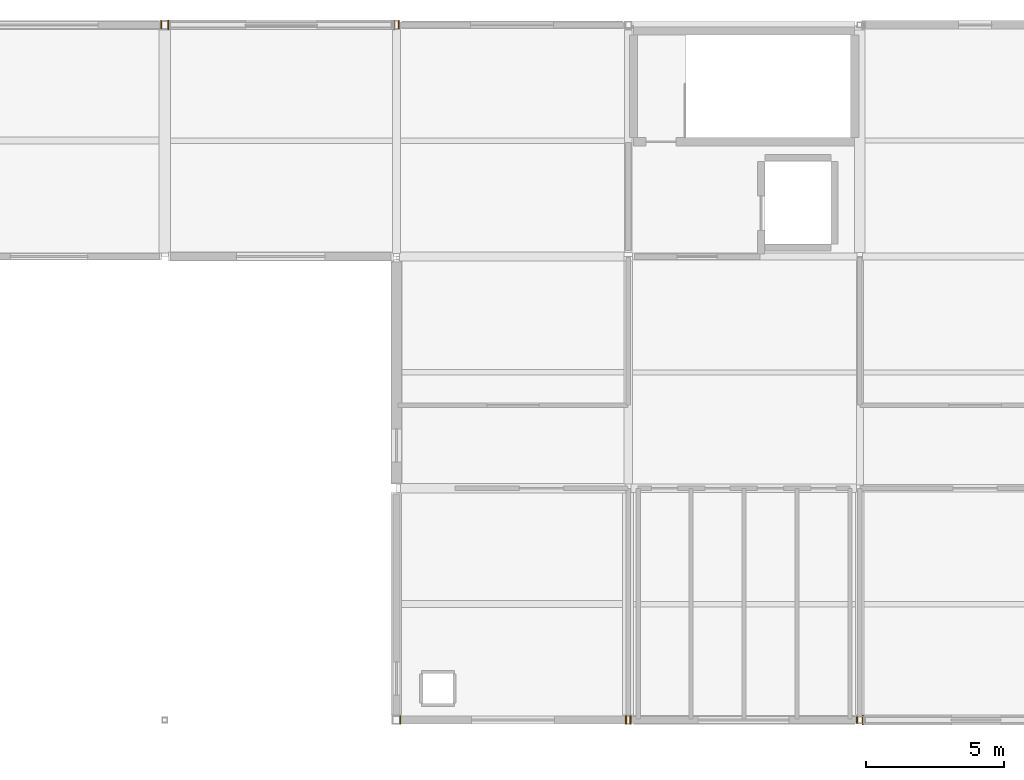
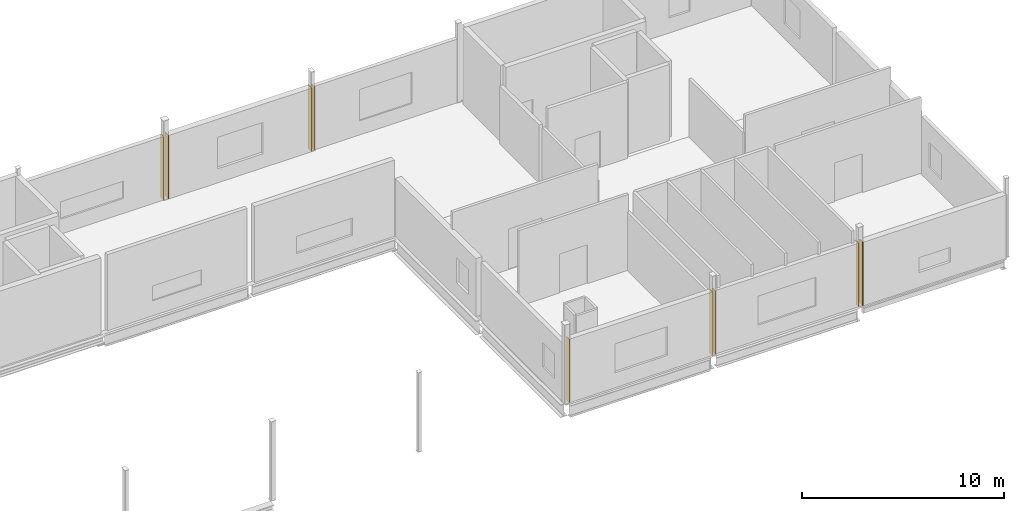
# One storey, part 24 of 27: 9 coverings.
"""IFC4 building model written with IfcOpenShell, lengths in metres."""

from ifc_helpers import new_model, si_unit, direction, frame, origin, place, context, subcontext, project, spatial, polyline, outline, extrude, material, layer, layer_set, type_object, element, save


model = new_model("IFC4")

# Units and contexts
model_context = context("Model", 3, precision=1e-05, world=origin(), true_north=direction((0.0, 1.0)))
body_context = subcontext(model_context, "Body", "Model", "MODEL_VIEW")
ifc_project = project(units=[si_unit("LENGTHUNIT", "METRE"), si_unit("AREAUNIT", "SQUARE_METRE"), si_unit("VOLUMEUNIT", "CUBIC_METRE"), si_unit("PLANEANGLEUNIT", "RADIAN"), si_unit("MASSUNIT", "GRAM", prefix="KILO")], contexts=[model_context])

# Site, building, storey
site_placement = place(None, origin())
site = spatial("IfcSite", under=ifc_project, at=site_placement, CompositionType="ELEMENT")
building_placement = place(site_placement, origin())
building = spatial("IfcBuilding", under=site, at=building_placement, Name="Calvrana Isthmian Art Gallery", CompositionType="ELEMENT")
storey_placement = place(building_placement, frame((0.0, 0.0, 24.60009765625)))
storey = spatial("IfcBuildingStorey", under=building, at=storey_placement, Name="L05", CompositionType="ELEMENT", Elevation=24.60009765625)

# Coverings
ifc_material = material(Name="Polychrome glazed terracotta", Category="masonry")
ifc_layer = layer(ifc_material, 0.0400390625, Name="Polychrome glazed terracotta")
ifc_layer_set = layer_set([ifc_layer], Name="Polychrome glazed terracotta")
covering_type = type_object("IfcCoveringType", Name="COV-CLAD-TERRA", PredefinedType="CLADDING", material=ifc_layer_set)
covering_1_placement = place(storey_placement, origin())
element("IfcCovering", 1, at=covering_1_placement, inside=storey, type_object=covering_type, Name="Column pocket weather closure L05-07-03-W", PredefinedType="CLADDING", context=body_context, shape_type="SweptSolid", body=[
    extrude(outline(polyline([(55.3125, 21.449951171875), (55.352294921875, 21.449951171875), (55.352294921875, 21.75), (55.3125, 21.75), (55.3125, 21.449951171875)])), origin(), (0.0, 0.0, 1.0), 3.84228515625),
])
covering_2_placement = place(storey_placement, origin())
element("IfcCovering", 2, at=covering_2_placement, inside=storey, type_object=covering_type, Name="Column pocket weather closure L05-07-03-E", PredefinedType="CLADDING", context=body_context, shape_type="SweptSolid", body=[
    extrude(outline(polyline([(63.498291015625, 21.449951171875), (63.538330078125, 21.449951171875), (63.538330078125, 21.75), (63.498291015625, 21.75), (63.498291015625, 21.449951171875)])), origin(), (0.0, 0.0, 1.0), 3.84228515625),
])
covering_3_placement = place(storey_placement, origin())
element("IfcCovering", 3, at=covering_3_placement, inside=storey, type_object=covering_type, Name="Column pocket weather closure L05-08-03-W", PredefinedType="CLADDING", context=body_context, shape_type="SweptSolid", body=[
    extrude(outline(polyline([(63.66162109375, 21.45263671875), (63.70166015625, 21.45263671875), (63.70166015625, 21.747314453125), (63.66162109375, 21.747314453125), (63.66162109375, 21.45263671875)])), origin(), (0.0, 0.0, 1.0), 3.84228515625),
])
covering_4_placement = place(storey_placement, origin())
element("IfcCovering", 4, at=covering_4_placement, inside=storey, type_object=covering_type, Name="Column pocket weather closure L05-08-03-E", PredefinedType="CLADDING", context=body_context, shape_type="SweptSolid", body=[
    extrude(outline(polyline([(71.873046875, 21.47509765625), (71.9130859375, 21.47509765625), (71.9130859375, 21.72509765625), (71.873046875, 21.72509765625), (71.873046875, 21.47509765625)])), origin(), (0.0, 0.0, 1.0), 3.84228515625),
])
covering_5_placement = place(storey_placement, origin())
element("IfcCovering", 5, at=covering_5_placement, inside=storey, type_object=covering_type, Name="Column pocket weather closure L05-09-03-W", PredefinedType="CLADDING", context=body_context, shape_type="SweptSolid", body=[
    extrude(outline(polyline([(72.0869140625, 21.425048828125), (72.126953125, 21.425048828125), (72.126953125, 21.77490234375), (72.0869140625, 21.77490234375), (72.0869140625, 21.425048828125)])), origin(), (0.0, 0.0, 1.0), 3.84228515625),
])
covering_6_placement = place(storey_placement, origin())
element("IfcCovering", 6, at=covering_6_placement, inside=storey, type_object=covering_type, Name="Column pocket weather closure L05-05-06-E", PredefinedType="CLADDING", context=body_context, shape_type="SweptSolid", body=[
    extrude(outline(polyline([(46.647705078125, 46.652587890625), (46.6875, 46.652587890625), (46.6875, 46.947509765625), (46.647705078125, 46.947509765625), (46.647705078125, 46.652587890625)])), origin(), (0.0, 0.0, 1.0), 3.84228515625),
])
covering_7_placement = place(storey_placement, origin())
element("IfcCovering", 7, at=covering_7_placement, inside=storey, type_object=covering_type, Name="Column pocket weather closure L05-06-06-W", PredefinedType="CLADDING", context=body_context, shape_type="SweptSolid", body=[
    extrude(outline(polyline([(46.912353515625, 46.625), (46.952392578125, 46.625), (46.952392578125, 46.97509765625), (46.912353515625, 46.97509765625), (46.912353515625, 46.625)])), origin(), (0.0, 0.0, 1.0), 3.84228515625),
])
covering_8_placement = place(storey_placement, origin())
element("IfcCovering", 8, at=covering_8_placement, inside=storey, type_object=covering_type, Name="Column pocket weather closure L05-06-06-E", PredefinedType="CLADDING", context=body_context, shape_type="SweptSolid", body=[
    extrude(outline(polyline([(55.098388671875, 46.625), (55.138427734375, 46.625), (55.138427734375, 46.97509765625), (55.098388671875, 46.97509765625), (55.098388671875, 46.625)])), origin(), (0.0, 0.0, 1.0), 3.84228515625),
])
covering_9_placement = place(storey_placement, origin())
element("IfcCovering", 9, at=covering_9_placement, inside=storey, type_object=covering_type, Name="Column pocket weather closure L05-07-06-W", PredefinedType="CLADDING", context=body_context, shape_type="SweptSolid", body=[
    extrude(outline(polyline([(55.26171875, 46.652587890625), (55.301513671875, 46.652587890625), (55.301513671875, 46.947509765625), (55.26171875, 46.947509765625), (55.26171875, 46.652587890625)])), origin(), (0.0, 0.0, 1.0), 3.84228515625),
])

save(model, "model.ifc")
